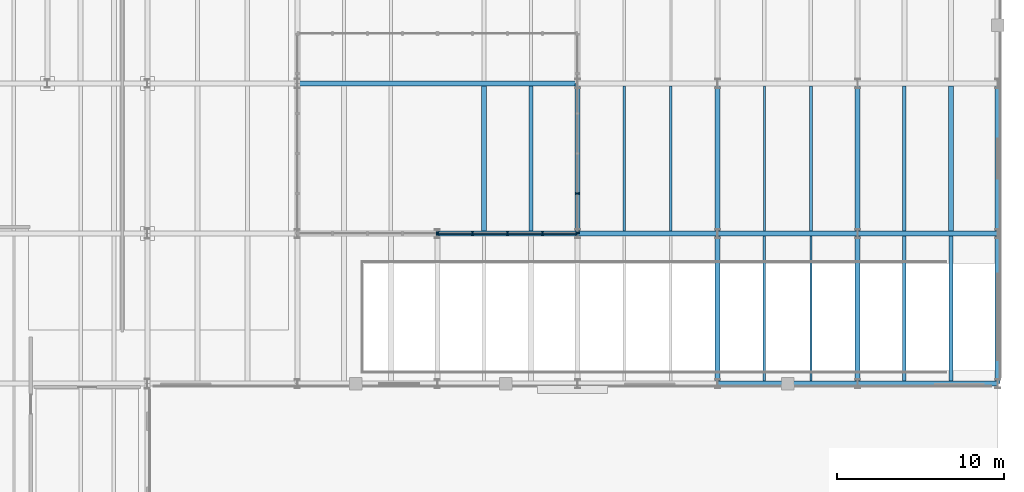
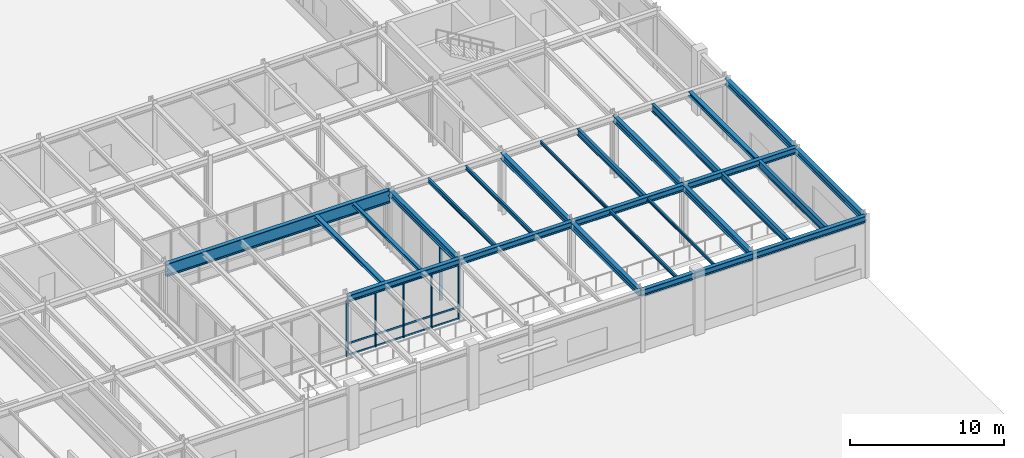
# One storey, part 28 of 64: 26 beams, 11 members, 3 elements without a shape of their own.
"""IFC4 building model written with IfcOpenShell, lengths in metres."""

from ifc_helpers import new_model, si_unit, direction, frame, origin, origin_2d, place, context, subcontext, project, spatial, rectangle, i_section, extrude, material, layer, layer_set, material_profile, profile_set, type_object, element, aggregate, save


model = new_model("IFC4")

# Units and contexts
model_context = context("Model", 3, precision=1e-05, world=origin(), true_north=direction((0.0, 1.0)))
body_context = subcontext(model_context, "Body", "Model", "MODEL_VIEW")
ifc_project = project(units=[si_unit("LENGTHUNIT", "METRE"), si_unit("AREAUNIT", "SQUARE_METRE"), si_unit("VOLUMEUNIT", "CUBIC_METRE"), si_unit("PLANEANGLEUNIT", "RADIAN"), si_unit("MASSUNIT", "GRAM", prefix="KILO")], contexts=[model_context])

# Site, building, storey
site_placement = place(None, origin())
site = spatial("IfcSite", under=ifc_project, at=site_placement, CompositionType="ELEMENT")
building_placement = place(site_placement, origin())
building = spatial("IfcBuilding", under=site, at=building_placement, Name="Montealbar Specialist Clinic", CompositionType="ELEMENT")
storey_placement = place(building_placement, origin())
storey = spatial("IfcBuildingStorey", under=building, at=storey_placement, Name="L00", CompositionType="ELEMENT", Elevation=0.0)

# Beams
ifc_material_1 = material(Name="Steel S355", Category="steel")
ifc_material_profile_1 = material_profile(ifc_material_1, i_section(OverallWidth=0.300048828125, OverallDepth=0.5, WebThickness=0.014404296875, FlangeThickness=0.028076171875, FilletRadius=0.027099609375, at=origin_2d()), Name="HEB 500", Category="steel")
ifc_profile_set_1 = profile_set([ifc_material_profile_1], Name="Steel S355")
beam_type_1 = type_object("IfcBeamType", Name="BM-GIRD-HEB500", PredefinedType="BEAM", material=ifc_profile_set_1)
for number, where, z_axis, x_axis, name in (
    (1, (136.800048828125, 27.0, 4.56005859375), (0.0, 1.0, 0.0), (-1.0, 0.0, 0.0), "Beam GY-L00-1368-270-360"),
    (2, (145.199951171875, 27.0, 4.56005859375), (0.0, 1.0, 0.0), (-1.0, 0.0, 0.0), "Beam GY-L00-1452-270-360"),
    (3, (153.60009765625, 27.0, 4.56005859375), (0.0, 1.0, 0.0), (-1.0, 0.0, 0.0), "Beam GY-L00-1536-270-360"),
):
    element("IfcBeam", number, at=place(storey_placement, frame(where, z_axis=z_axis, x_axis=x_axis)), inside=storey, type_object=beam_type_1, Name=name, PredefinedType="BEAM", context=body_context, shape_type="SweptSolid", body=[
        extrude(i_section(OverallWidth=0.300048828125, OverallDepth=0.5, WebThickness=0.014404296875, FlangeThickness=0.028076171875, FilletRadius=0.027099609375, at=origin_2d()), origin(), (0.0, 0.0, 1.0), 9.0),
    ])
ifc_material_profile_2 = material_profile(ifc_material_1, i_section(OverallWidth=0.300048828125, OverallDepth=0.5, WebThickness=0.014404296875, FlangeThickness=0.028076171875, FilletRadius=0.027099609375, at=origin_2d()), Name="HEB 500", Category="steel")
ifc_profile_set_2 = profile_set([ifc_material_profile_2], Name="Steel S355")
beam_type_2 = type_object("IfcBeamType", Name="BM-GIRD-HEB500-EXT", PredefinedType="BEAM", material=ifc_profile_set_2)
beam_1_placement = place(storey_placement, frame((145.199951171875, 18.0, 4.580078125), z_axis=(1.0, 0.0, 0.0), x_axis=(0.0, 1.0, 0.0)))
element("IfcBeam", 4, at=beam_1_placement, inside=storey, type_object=beam_type_2, Name="Beam GX-L00-1452-1536-180", PredefinedType="BEAM", context=body_context, shape_type="SweptSolid", body=[
    extrude(i_section(OverallWidth=0.300048828125, OverallDepth=0.5, WebThickness=0.014404296875, FlangeThickness=0.028076171875, FilletRadius=0.027099609375, at=origin_2d()), origin(), (0.0, 0.0, 1.0), 8.400146484375),
])
beam_2_placement = place(storey_placement, frame((153.60009765625, 18.0, 4.580078125), z_axis=(1.0, 0.0, 0.0), x_axis=(0.0, 1.0, 0.0)))
element("IfcBeam", 5, at=beam_2_placement, inside=storey, type_object=beam_type_2, Name="Beam GX-L00-1536-1620-180", PredefinedType="BEAM", context=body_context, shape_type="SweptSolid", body=[
    extrude(i_section(OverallWidth=0.300048828125, OverallDepth=0.5, WebThickness=0.014404296875, FlangeThickness=0.028076171875, FilletRadius=0.027099609375, at=origin_2d()), origin(), (0.0, 0.0, 1.0), 8.39990234375),
])
beam_3_placement = place(storey_placement, frame((128.39990234375, 27.0, 4.56005859375), z_axis=(1.0, 0.0, 0.0), x_axis=(0.0, 1.0, 0.0)))
element("IfcBeam", 6, at=beam_3_placement, inside=storey, type_object=beam_type_2, Name="Beam GX-L00-1284-1368-270", PredefinedType="BEAM", context=body_context, shape_type="SweptSolid", body=[
    extrude(i_section(OverallWidth=0.300048828125, OverallDepth=0.5, WebThickness=0.014404296875, FlangeThickness=0.028076171875, FilletRadius=0.027099609375, at=origin_2d()), origin(), (0.0, 0.0, 1.0), 8.400146484375),
])
beam_4_placement = place(storey_placement, frame((136.800048828125, 27.0, 4.56005859375), z_axis=(1.0, 0.0, 0.0), x_axis=(0.0, 1.0, 0.0)))
element("IfcBeam", 7, at=beam_4_placement, inside=storey, type_object=beam_type_2, Name="Beam GX-L00-1368-1452-270", PredefinedType="BEAM", context=body_context, shape_type="SweptSolid", body=[
    extrude(i_section(OverallWidth=0.300048828125, OverallDepth=0.5, WebThickness=0.014404296875, FlangeThickness=0.028076171875, FilletRadius=0.027099609375, at=origin_2d()), origin(), (0.0, 0.0, 1.0), 8.39990234375),
])
beam_5_placement = place(storey_placement, frame((145.199951171875, 27.0, 4.56005859375), z_axis=(1.0, 0.0, 0.0), x_axis=(0.0, 1.0, 0.0)))
element("IfcBeam", 8, at=beam_5_placement, inside=storey, type_object=beam_type_2, Name="Beam GX-L00-1452-1536-270", PredefinedType="BEAM", context=body_context, shape_type="SweptSolid", body=[
    extrude(i_section(OverallWidth=0.300048828125, OverallDepth=0.5, WebThickness=0.014404296875, FlangeThickness=0.028076171875, FilletRadius=0.027099609375, at=origin_2d()), origin(), (0.0, 0.0, 1.0), 8.400146484375),
])
beam_6_placement = place(storey_placement, frame((153.60009765625, 27.0, 4.56005859375), z_axis=(1.0, 0.0, 0.0), x_axis=(0.0, 1.0, 0.0)))
element("IfcBeam", 9, at=beam_6_placement, inside=storey, type_object=beam_type_2, Name="Beam GX-L00-1536-1620-270", PredefinedType="BEAM", context=body_context, shape_type="SweptSolid", body=[
    extrude(i_section(OverallWidth=0.300048828125, OverallDepth=0.5, WebThickness=0.014404296875, FlangeThickness=0.028076171875, FilletRadius=0.027099609375, at=origin_2d()), origin(), (0.0, 0.0, 1.0), 8.39990234375),
])
for number, where, z_axis, x_axis, name in (
    (10, (145.199951171875, 18.0, 4.56005859375), (0.0, 1.0, 0.0), (-1.0, 0.0, 0.0), "Beam GY-L00-1452-180-270"),
    (11, (153.60009765625, 18.0, 4.56005859375), (0.0, 1.0, 0.0), (-1.0, 0.0, 0.0), "Beam GY-L00-1536-180-270"),
    (12, (162.0, 18.0, 4.56005859375), (0.0, 1.0, 0.0), (-1.0, 0.0, 0.0), "Beam GY-L00-1620-180-270"),
    (13, (162.0, 27.0, 4.56005859375), (0.0, 1.0, 0.0), (-1.0, 0.0, 0.0), "Beam GY-L00-1620-270-360"),
):
    element("IfcBeam", number, at=place(storey_placement, frame(where, z_axis=z_axis, x_axis=x_axis)), inside=storey, type_object=beam_type_2, Name=name, PredefinedType="BEAM", context=body_context, shape_type="SweptSolid", body=[
        extrude(i_section(OverallWidth=0.300048828125, OverallDepth=0.5, WebThickness=0.014404296875, FlangeThickness=0.028076171875, FilletRadius=0.027099609375, at=origin_2d()), origin(), (0.0, 0.0, 1.0), 9.0),
    ])
ifc_material_profile_3 = material_profile(ifc_material_1, i_section(OverallWidth=0.300048828125, OverallDepth=0.35009765625, WebThickness=0.010009765625, FlangeThickness=0.017578125, FilletRadius=0.027099609375, at=origin_2d()), Name="HEA 360", Category="steel")
ifc_profile_set_3 = profile_set([ifc_material_profile_3], Name="Steel S355")
beam_type_3 = type_object("IfcBeamType", Name="BM-JST-HEA360", PredefinedType="JOIST", material=ifc_profile_set_3)
beam_7_placement = place(storey_placement, frame((159.199951171875, 27.14990234375, 4.635009765625), z_axis=(0.0, 1.0, 0.0), x_axis=(-1.0, 0.0, 0.0)))
element("IfcBeam", 14, at=beam_7_placement, inside=storey, type_object=beam_type_3, Name="Beam JST-L00-1592-272-358", PredefinedType="JOIST", context=body_context, shape_type="SweptSolid", body=[
    extrude(i_section(OverallWidth=0.300048828125, OverallDepth=0.35009765625, WebThickness=0.010009765625, FlangeThickness=0.017578125, FilletRadius=0.027099609375, at=origin_2d()), origin(), (0.0, 0.0, 1.0), 8.7001953125),
])
ifc_material_profile_4 = material_profile(ifc_material_1, i_section(OverallWidth=0.1201171875, OverallDepth=0.239990234375, WebThickness=0.006103515625, FlangeThickness=0.009765625, FilletRadius=0.014892578125, at=origin_2d()), Name="IPE 240", Category="steel")
ifc_profile_set_4 = profile_set([ifc_material_profile_4], Name="Steel S355")
beam_type_4 = type_object("IfcBeamType", Name="BM-JST-IPE240", PredefinedType="JOIST", material=ifc_profile_set_4)
for number, where, z_axis, x_axis, name in (
    (15, (150.800048828125, 18.14990234375, 4.68994140625), (0.0, 1.0, 0.0), (-1.0, 0.0, 0.0), "Beam JST-L00-1508-182-268"),
    (16, (148.0, 27.14990234375, 4.68994140625), (0.0, 1.0, 0.0), (-1.0, 0.0, 0.0), "Beam JST-L00-1480-272-358"),
):
    element("IfcBeam", number, at=place(storey_placement, frame(where, z_axis=z_axis, x_axis=x_axis)), inside=storey, type_object=beam_type_4, Name=name, PredefinedType="JOIST", context=body_context, shape_type="SweptSolid", body=[
        extrude(i_section(OverallWidth=0.1201171875, OverallDepth=0.239990234375, WebThickness=0.006103515625, FlangeThickness=0.009765625, FilletRadius=0.014892578125, at=origin_2d()), origin(), (0.0, 0.0, 1.0), 8.7001953125),
    ])
ifc_material_profile_5 = material_profile(ifc_material_1, i_section(OverallWidth=0.135009765625, OverallDepth=0.27001953125, WebThickness=0.006591796875, FlangeThickness=0.01025390625, FilletRadius=0.014892578125, at=origin_2d()), Name="IPE 270", Category="steel")
ifc_profile_set_5 = profile_set([ifc_material_profile_5], Name="Steel S355")
beam_type_5 = type_object("IfcBeamType", Name="BM-JST-IPE270", PredefinedType="JOIST", material=ifc_profile_set_5)
beam_8_placement = place(storey_placement, frame((148.0, 18.14990234375, 4.675048828125), z_axis=(0.0, 1.0, 0.0), x_axis=(-1.0, 0.0, 0.0)))
element("IfcBeam", 17, at=beam_8_placement, inside=storey, type_object=beam_type_5, Name="Beam JST-L00-1480-182-268", PredefinedType="JOIST", context=body_context, shape_type="SweptSolid", body=[
    extrude(i_section(OverallWidth=0.135009765625, OverallDepth=0.27001953125, WebThickness=0.006591796875, FlangeThickness=0.01025390625, FilletRadius=0.014892578125, at=origin_2d()), origin(), (0.0, 0.0, 1.0), 8.7001953125),
])
ifc_material_profile_6 = material_profile(ifc_material_1, i_section(OverallWidth=0.14990234375, OverallDepth=0.300048828125, WebThickness=0.007080078125, FlangeThickness=0.0107421875, FilletRadius=0.014892578125, at=origin_2d()), Name="IPE 300", Category="steel")
ifc_profile_set_6 = profile_set([ifc_material_profile_6], Name="Steel S355")
beam_type_6 = type_object("IfcBeamType", Name="BM-JST-IPE300", PredefinedType="JOIST", material=ifc_profile_set_6)
beam_9_placement = place(storey_placement, frame((142.39990234375, 27.14990234375, 4.659912109375), z_axis=(0.0, 1.0, 0.0), x_axis=(-1.0, 0.0, 0.0)))
element("IfcBeam", 18, at=beam_9_placement, inside=storey, type_object=beam_type_6, Name="Beam JST-L00-1424-272-358", PredefinedType="JOIST", context=body_context, shape_type="SweptSolid", body=[
    extrude(i_section(OverallWidth=0.14990234375, OverallDepth=0.300048828125, WebThickness=0.007080078125, FlangeThickness=0.0107421875, FilletRadius=0.014892578125, at=origin_2d()), origin(), (0.0, 0.0, 1.0), 8.7001953125),
])
ifc_material_profile_7 = material_profile(ifc_material_1, i_section(OverallWidth=0.159912109375, OverallDepth=0.330078125, WebThickness=0.007568359375, FlangeThickness=0.011474609375, FilletRadius=0.01806640625, at=origin_2d()), Name="IPE 330", Category="steel")
ifc_profile_set_7 = profile_set([ifc_material_profile_7], Name="Steel S355")
beam_type_7 = type_object("IfcBeamType", Name="BM-JST-IPE330", PredefinedType="JOIST", material=ifc_profile_set_7)
beam_10_placement = place(storey_placement, frame((139.60009765625, 27.14990234375, 4.64501953125), z_axis=(0.0, 1.0, 0.0), x_axis=(-1.0, 0.0, 0.0)))
element("IfcBeam", 19, at=beam_10_placement, inside=storey, type_object=beam_type_7, Name="Beam JST-L00-1396-272-358", PredefinedType="JOIST", context=body_context, shape_type="SweptSolid", body=[
    extrude(i_section(OverallWidth=0.159912109375, OverallDepth=0.330078125, WebThickness=0.007568359375, FlangeThickness=0.011474609375, FilletRadius=0.01806640625, at=origin_2d()), origin(), (0.0, 0.0, 1.0), 8.7001953125),
])
ifc_material_profile_8 = material_profile(ifc_material_1, i_section(OverallWidth=0.199951171875, OverallDepth=0.5, WebThickness=0.01025390625, FlangeThickness=0.01611328125, FilletRadius=0.02099609375, at=origin_2d()), Name="IPE 500", Category="steel")
ifc_profile_set_8 = profile_set([ifc_material_profile_8], Name="Steel S355")
beam_type_8 = type_object("IfcBeamType", Name="BM-JST-IPE500", PredefinedType="JOIST", material=ifc_profile_set_8)
beam_11_placement = place(storey_placement, frame((150.800048828125, 27.14990234375, 4.56005859375), z_axis=(0.0, 1.0, 0.0), x_axis=(-1.0, 0.0, 0.0)))
element("IfcBeam", 20, at=beam_11_placement, inside=storey, type_object=beam_type_8, Name="Beam JST-L00-1508-272-358", PredefinedType="JOIST", context=body_context, shape_type="SweptSolid", body=[
    extrude(i_section(OverallWidth=0.199951171875, OverallDepth=0.5, WebThickness=0.01025390625, FlangeThickness=0.01611328125, FilletRadius=0.02099609375, at=origin_2d()), origin(), (0.0, 0.0, 1.0), 8.7001953125),
])
ifc_material_profile_9 = material_profile(ifc_material_1, i_section(OverallWidth=0.2099609375, OverallDepth=0.550048828125, WebThickness=0.010986328125, FlangeThickness=0.01708984375, FilletRadius=0.02392578125, at=origin_2d()), Name="IPE 550", Category="steel")
ifc_profile_set_9 = profile_set([ifc_material_profile_9], Name="Steel S355")
beam_type_9 = type_object("IfcBeamType", Name="BM-JST-IPE550", PredefinedType="JOIST", material=ifc_profile_set_9)
beam_12_placement = place(storey_placement, frame((156.39990234375, 18.14990234375, 4.534912109375), z_axis=(0.0, 1.0, 0.0), x_axis=(-1.0, 0.0, 0.0)))
element("IfcBeam", 21, at=beam_12_placement, inside=storey, type_object=beam_type_9, Name="Beam JST-L00-1564-182-268", PredefinedType="JOIST", context=body_context, shape_type="SweptSolid", body=[
    extrude(i_section(OverallWidth=0.2099609375, OverallDepth=0.550048828125, WebThickness=0.010986328125, FlangeThickness=0.01708984375, FilletRadius=0.02392578125, at=origin_2d()), origin(), (0.0, 0.0, 1.0), 8.7001953125),
])
ifc_material_profile_10 = material_profile(ifc_material_1, i_section(OverallWidth=0.219970703125, OverallDepth=0.60009765625, WebThickness=0.011962890625, FlangeThickness=0.01904296875, FilletRadius=0.02392578125, at=origin_2d()), Name="IPE 600", Category="steel")
ifc_profile_set_10 = profile_set([ifc_material_profile_10], Name="Steel S355")
beam_type_10 = type_object("IfcBeamType", Name="BM-JST-IPE600", PredefinedType="JOIST", material=ifc_profile_set_10)
for number, where, z_axis, x_axis, name in (
    (22, (159.199951171875, 18.14990234375, 4.510009765625), (0.0, 1.0, 0.0), (-1.0, 0.0, 0.0), "Beam JST-L00-1592-182-268"),
    (23, (156.39990234375, 27.14990234375, 4.510009765625), (0.0, 1.0, 0.0), (-1.0, 0.0, 0.0), "Beam JST-L00-1564-272-358"),
):
    element("IfcBeam", number, at=place(storey_placement, frame(where, z_axis=z_axis, x_axis=x_axis)), inside=storey, type_object=beam_type_10, Name=name, PredefinedType="JOIST", context=body_context, shape_type="SweptSolid", body=[
        extrude(i_section(OverallWidth=0.219970703125, OverallDepth=0.60009765625, WebThickness=0.011962890625, FlangeThickness=0.01904296875, FilletRadius=0.02392578125, at=origin_2d()), origin(), (0.0, 0.0, 1.0), 8.7001953125),
    ])
ifc_material_profile_11 = material_profile(ifc_material_1, i_section(OverallWidth=0.239990234375, OverallDepth=0.22998046875, WebThickness=0.007568359375, FlangeThickness=0.011962890625, FilletRadius=0.02099609375, at=origin_2d()), Name="HEA 240", Category="steel")
ifc_profile_set_11 = profile_set([ifc_material_profile_11], Name="Steel S355")
beam_type_11 = type_object("IfcBeamType", Name="BM-SPAND-HEA240", PredefinedType="SPANDREL", material=ifc_profile_set_11)
beam_13_placement = place(storey_placement, frame((134.0, 27.14990234375, 4.695068359375), z_axis=(0.0, 1.0, 0.0), x_axis=(-1.0, 0.0, 0.0)))
element("IfcBeam", 24, at=beam_13_placement, inside=storey, type_object=beam_type_11, Name="Beam JST-L00-1340-272-358", PredefinedType="SPANDREL", context=body_context, shape_type="SweptSolid", body=[
    extrude(i_section(OverallWidth=0.239990234375, OverallDepth=0.22998046875, WebThickness=0.007568359375, FlangeThickness=0.011962890625, FilletRadius=0.02099609375, at=origin_2d()), origin(), (0.0, 0.0, 1.0), 8.69921875),
])
ifc_material_profile_12 = material_profile(ifc_material_1, i_section(OverallWidth=0.300048828125, OverallDepth=0.2900390625, WebThickness=0.008544921875, FlangeThickness=0.013916015625, FilletRadius=0.027099609375, at=origin_2d()), Name="HEA 300", Category="steel")
ifc_profile_set_12 = profile_set([ifc_material_profile_12], Name="Steel S355")
beam_type_12 = type_object("IfcBeamType", Name="BM-SPAND-HEA300", PredefinedType="SPANDREL", material=ifc_profile_set_12)
beam_14_placement = place(storey_placement, frame((131.199951171875, 27.14990234375, 4.6650390625), z_axis=(0.0, 1.0, 0.0), x_axis=(-1.0, 0.0, 0.0)))
element("IfcBeam", 25, at=beam_14_placement, inside=storey, type_object=beam_type_12, Name="Beam JST-L00-1312-272-358", PredefinedType="SPANDREL", context=body_context, shape_type="SweptSolid", body=[
    extrude(i_section(OverallWidth=0.300048828125, OverallDepth=0.2900390625, WebThickness=0.008544921875, FlangeThickness=0.013916015625, FilletRadius=0.027099609375, at=origin_2d()), origin(), (0.0, 0.0, 1.0), 8.69921875),
])
ifc_material_profile_13 = material_profile(ifc_material_1, i_section(OverallWidth=0.302001953125, OverallDepth=1.008056640625, WebThickness=0.02099609375, FlangeThickness=0.0400390625, FilletRadius=0.030029296875, at=origin_2d()), Name="HEM 1000", Category="steel")
ifc_profile_set_13 = profile_set([ifc_material_profile_13], Name="Steel S355")
beam_type_13 = type_object("IfcBeamType", Name="BM-XFER-HEM1000-EXT", PredefinedType="BEAM", material=ifc_profile_set_13)
beam_15_placement = place(storey_placement, frame((120.0, 36.0, 4.305908203125), z_axis=(1.0, 0.0, 0.0), x_axis=(0.0, 1.0, 0.0)))
element("IfcBeam", 26, at=beam_15_placement, inside=storey, type_object=beam_type_13, Name="Transfer Girder L00 Y=36.0", PredefinedType="BEAM", context=body_context, shape_type="SweptSolid", body=[
    extrude(i_section(OverallWidth=0.302001953125, OverallDepth=1.008056640625, WebThickness=0.02099609375, FlangeThickness=0.0400390625, FilletRadius=0.030029296875, at=origin_2d()), origin(), (0.0, 0.0, 1.0), 16.800048828125),
])

# Curtain wall, member
ifc_material_2 = material(Name="Low-E double glazing", Category="glass")
ifc_layer_1 = layer(ifc_material_2, 0.199951171875, Name="Low-E double glazing", Category="glass")
ifc_layer_set_1 = layer_set([ifc_layer_1], Name="Low-E double glazing")
curtain_wall_type_1 = type_object("IfcCurtainWallType", Name="CW-TYPE-05", PredefinedType="NOTDEFINED", material=ifc_layer_set_1)
curtain_wall_1_placement = place(storey_placement, origin())
curtain_wall_1 = element("IfcCurtainWall", 27, at=curtain_wall_1_placement, inside=storey, type_object=curtain_wall_type_1, Name="Unitised Curtain Wall CW-L00-1200-270-1284-270-0", PredefinedType="NOTDEFINED")
ifc_material_3 = material(Name="Anodised aluminium EN AW-6063", Category="aluminium")
ifc_material_profile_14 = material_profile(ifc_material_3, rectangle(XDim=0.080078125, YDim=0.219970703125, at=origin_2d()), Name="ALU 80x220", Category="aluminium")
ifc_profile_set_14 = profile_set([ifc_material_profile_14], Name="Anodised aluminium EN AW-6063")
member_type_1 = type_object("IfcMemberType", Name="CW-MUL-220", PredefinedType="MULLION", material=ifc_profile_set_14)
member_1_placement = place(storey_placement, frame((128.35498046875, 27.0, 0.0), z_axis=(0.0, 0.0, 1.0), x_axis=(1.0, 0.0, 0.0)))
member_1 = element("IfcMember", 28, at=member_1_placement, type_object=member_type_1, Name="Curtain Wall Mullion CW-L00-1200-270-1284-270-0-04", PredefinedType="MULLION", context=body_context, shape_type="SweptSolid", body=[
    extrude(rectangle(XDim=0.080078125, YDim=0.219970703125, at=origin_2d()), origin(), (0.0, 0.0, 1.0), 4.31005859375),
])
aggregate(curtain_wall_1, [member_1])

# Curtain wall, members
curtain_wall_2_placement = place(storey_placement, origin())
curtain_wall_2 = element("IfcCurtainWall", 29, at=curtain_wall_2_placement, inside=storey, type_object=curtain_wall_type_1, Name="Unitised Curtain Wall CW-L00-1284-270-1368-270-0", PredefinedType="NOTDEFINED")
member_2_placement = place(storey_placement, frame((128.445068359375, 27.0, 0.0), z_axis=(0.0, 0.0, 1.0), x_axis=(1.0, 0.0, 0.0)))
member_2 = element("IfcMember", 30, at=member_2_placement, type_object=member_type_1, Name="Curtain Wall Mullion CW-L00-1284-270-1368-270-0-00", PredefinedType="MULLION", context=body_context, shape_type="SweptSolid", body=[
    extrude(rectangle(XDim=0.080078125, YDim=0.219970703125, at=origin_2d()), origin(), (0.0, 0.0, 1.0), 4.31005859375),
])
member_3_placement = place(storey_placement, frame((130.5, 27.0, 0.0), z_axis=(0.0, 0.0, 1.0), x_axis=(1.0, 0.0, 0.0)))
member_3 = element("IfcMember", 31, at=member_3_placement, type_object=member_type_1, Name="Curtain Wall Mullion CW-L00-1284-270-1368-270-0-01", PredefinedType="MULLION", context=body_context, shape_type="SweptSolid", body=[
    extrude(rectangle(XDim=0.080078125, YDim=0.219970703125, at=origin_2d()), origin(), (0.0, 0.0, 1.0), 4.31005859375),
])
member_4_placement = place(storey_placement, frame((132.60009765625, 27.0, 0.0), z_axis=(0.0, 0.0, 1.0), x_axis=(1.0, 0.0, 0.0)))
member_4 = element("IfcMember", 32, at=member_4_placement, type_object=member_type_1, Name="Curtain Wall Mullion CW-L00-1284-270-1368-270-0-02", PredefinedType="MULLION", context=body_context, shape_type="SweptSolid", body=[
    extrude(rectangle(XDim=0.080078125, YDim=0.219970703125, at=origin_2d()), origin(), (0.0, 0.0, 1.0), 4.31005859375),
])
member_5_placement = place(storey_placement, frame((134.699951171875, 27.0, 0.0), z_axis=(0.0, 0.0, 1.0), x_axis=(1.0, 0.0, 0.0)))
member_5 = element("IfcMember", 33, at=member_5_placement, type_object=member_type_1, Name="Curtain Wall Mullion CW-L00-1284-270-1368-270-0-03", PredefinedType="MULLION", context=body_context, shape_type="SweptSolid", body=[
    extrude(rectangle(XDim=0.080078125, YDim=0.219970703125, at=origin_2d()), origin(), (0.0, 0.0, 1.0), 4.31005859375),
])
member_6_placement = place(storey_placement, frame((136.7548828125, 27.0, 0.0), z_axis=(0.0, 0.0, 1.0), x_axis=(1.0, 0.0, 0.0)))
member_6 = element("IfcMember", 34, at=member_6_placement, type_object=member_type_1, Name="Curtain Wall Mullion CW-L00-1284-270-1368-270-0-04", PredefinedType="MULLION", context=body_context, shape_type="SweptSolid", body=[
    extrude(rectangle(XDim=0.080078125, YDim=0.219970703125, at=origin_2d()), origin(), (0.0, 0.0, 1.0), 4.31005859375),
])

ifc_layer_2 = layer(ifc_material_2, 0.199951171875, Name="Low-E double glazing", Category="glass")
ifc_layer_set_2 = layer_set([ifc_layer_2], Name="Low-E double glazing")
curtain_wall_type_2 = type_object("IfcCurtainWallType", Name="CW-TYPE-04", PredefinedType="NOTDEFINED", material=ifc_layer_set_2)
curtain_wall_3_placement = place(storey_placement, origin())
curtain_wall_3 = element("IfcCurtainWall", 35, at=curtain_wall_3_placement, inside=storey, type_object=curtain_wall_type_2, Name="Unitised Curtain Wall CW-L00-1368-270-1368-390-0", PredefinedType="NOTDEFINED")
member_7_placement = place(storey_placement, frame((136.800048828125, 27.044921875, 0.0), z_axis=(0.0, 0.0, 1.0), x_axis=(0.0, 1.0, 0.0)))
member_7 = element("IfcMember", 36, at=member_7_placement, type_object=member_type_1, Name="Curtain Wall Mullion CW-L00-1368-270-1368-390-0-00", PredefinedType="MULLION", context=body_context, shape_type="SweptSolid", body=[
    extrude(rectangle(XDim=0.080078125, YDim=0.219970703125, at=origin_2d()), origin(), (0.0, 0.0, 1.0), 4.31005859375),
])
member_8_placement = place(storey_placement, frame((136.800048828125, 29.39990234375, 0.0), z_axis=(0.0, 0.0, 1.0), x_axis=(0.0, 1.0, 0.0)))
member_8 = element("IfcMember", 37, at=member_8_placement, type_object=member_type_1, Name="Curtain Wall Mullion CW-L00-1368-270-1368-390-0-01", PredefinedType="MULLION", context=body_context, shape_type="SweptSolid", body=[
    extrude(rectangle(XDim=0.080078125, YDim=0.219970703125, at=origin_2d()), origin(), (0.0, 0.0, 1.0), 4.31005859375),
])
aggregate(curtain_wall_3, [member_7, member_8])

# Member
ifc_material_4 = material(Name="Powder-coated aluminium", Category="aluminium")
ifc_material_profile_15 = material_profile(ifc_material_4, rectangle(XDim=0.070068359375, YDim=0.139892578125, at=origin_2d()), Name="ALU 70x140", Category="aluminium")
ifc_profile_set_15 = profile_set([ifc_material_profile_15], Name="Powder-coated aluminium")
member_type_2 = type_object("IfcMemberType", Name="CW-TRN-140", PredefinedType="USERDEFINED", material=ifc_profile_set_15)
member_9_placement = place(storey_placement, frame((128.449951171875, 27.0, 0.0400390625), z_axis=(1.0, 0.0, 0.0), x_axis=(0.0, 1.0, 0.0)))
member_9 = element("IfcMember", 38, at=member_9_placement, type_object=member_type_2, Name="Curtain Wall Transom CW-L00-1284-270-1368-270-0-00", ObjectType="TRANSOM", PredefinedType="USERDEFINED", context=body_context, shape_type="SweptSolid", body=[
    extrude(rectangle(XDim=0.070068359375, YDim=0.139892578125, at=origin_2d()), origin(), (0.0, 0.0, 1.0), 8.300048828125),
])

member_10_placement = place(storey_placement, frame((128.449951171875, 27.0, 0.949951171875), z_axis=(1.0, 0.0, 0.0), x_axis=(0.0, 1.0, 0.0)))
member_10 = element("IfcMember", 39, at=member_10_placement, type_object=member_type_2, Name="Curtain Wall Transom CW-L00-1284-270-1368-270-0-01", ObjectType="TRANSOM", PredefinedType="USERDEFINED", context=body_context, shape_type="SweptSolid", body=[
    extrude(rectangle(XDim=0.070068359375, YDim=0.139892578125, at=origin_2d()), origin(), (0.0, 0.0, 1.0), 8.300048828125),
])

member_11_placement = place(storey_placement, frame((128.449951171875, 27.0, 4.27001953125), z_axis=(1.0, 0.0, 0.0), x_axis=(0.0, 1.0, 0.0)))
member_11 = element("IfcMember", 40, at=member_11_placement, type_object=member_type_2, Name="Curtain Wall Transom CW-L00-1284-270-1368-270-0-02", ObjectType="TRANSOM", PredefinedType="USERDEFINED", context=body_context, shape_type="SweptSolid", body=[
    extrude(rectangle(XDim=0.070068359375, YDim=0.139892578125, at=origin_2d()), origin(), (0.0, 0.0, 1.0), 8.300048828125),
])

aggregate(curtain_wall_2, [member_2, member_3, member_4, member_5, member_6, member_9, member_10, member_11])

save(model, "model.ifc")
